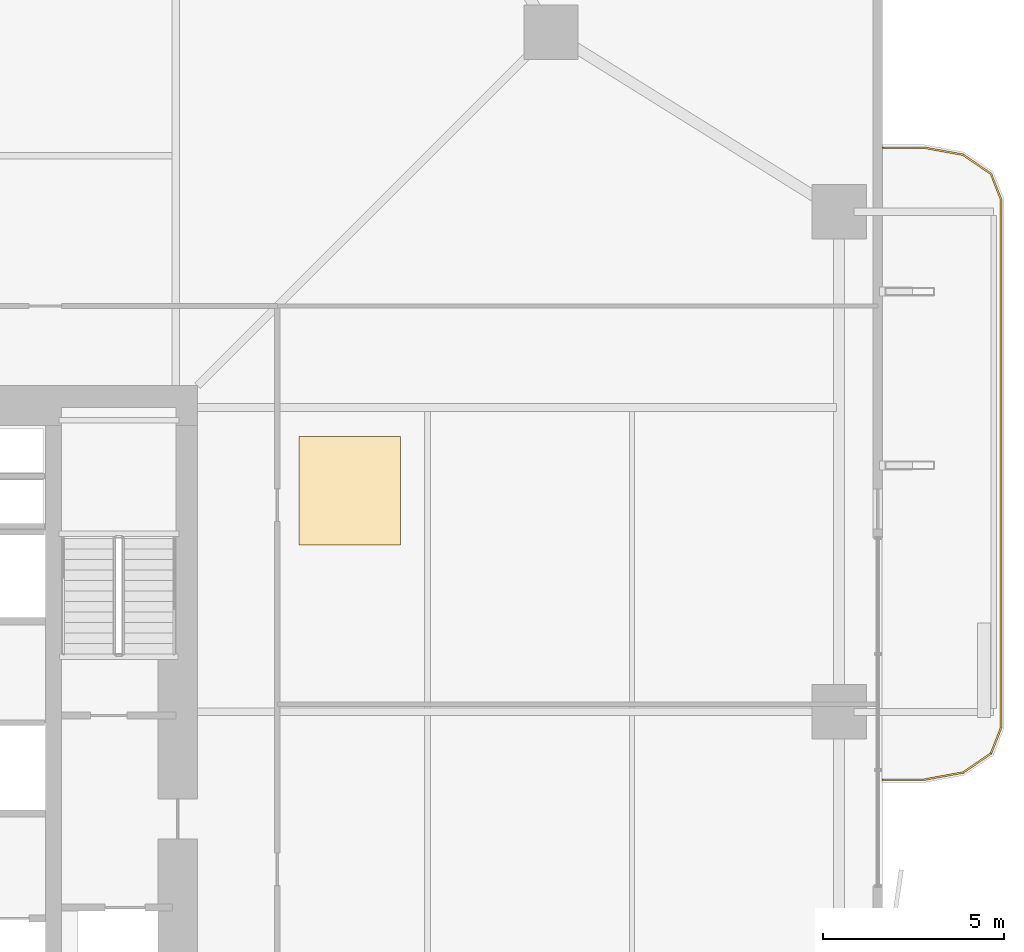
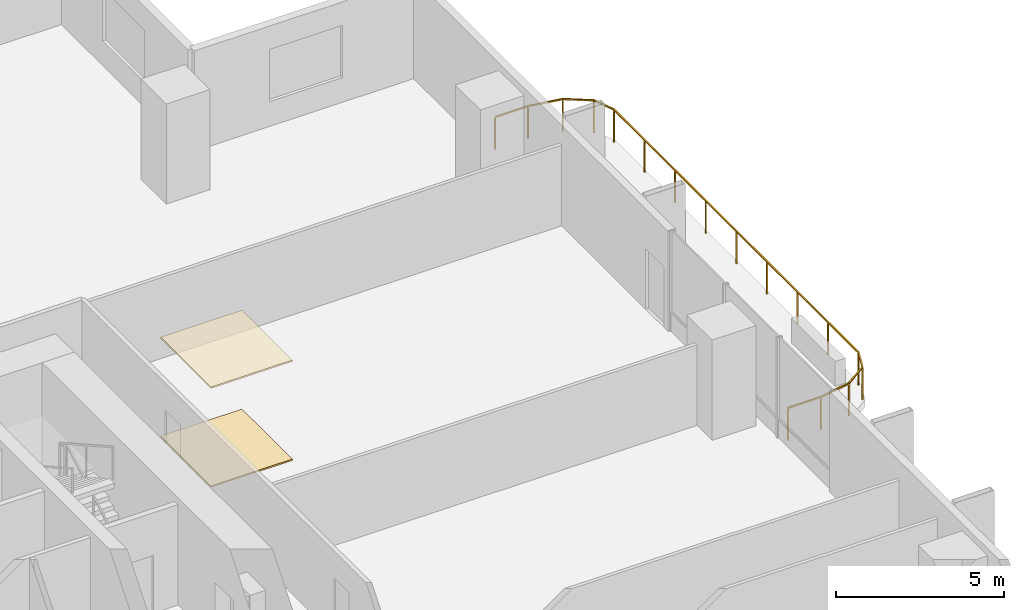
# One storey, part 23 of 23: 2 coverings, 1 railing.
"""IFC4 building model written with IfcOpenShell, lengths in metres."""

from ifc_helpers import new_model, si_unit, direction, frame, origin, origin_2d, place, context, subcontext, project, spatial, polyline, rectangle, outline, extrude, material, layer, layer_set, type_object, element, save


model = new_model("IFC4")

# Units and contexts
model_context = context("Model", 3, precision=1e-05, world=origin(), true_north=direction((0.0, 1.0)))
body_context = subcontext(model_context, "Body", "Model", "MODEL_VIEW")
ifc_project = project(units=[si_unit("LENGTHUNIT", "METRE"), si_unit("AREAUNIT", "SQUARE_METRE"), si_unit("VOLUMEUNIT", "CUBIC_METRE"), si_unit("PLANEANGLEUNIT", "RADIAN"), si_unit("MASSUNIT", "GRAM", prefix="KILO")], contexts=[model_context])

# Site, building, storey
site_placement = place(None, origin())
site = spatial("IfcSite", under=ifc_project, at=site_placement, CompositionType="ELEMENT")
building_placement = place(site_placement, origin())
building = spatial("IfcBuilding", under=site, at=building_placement, Name="Belovzor Exchange Tower", CompositionType="ELEMENT")
storey_placement = place(building_placement, frame((0.0, 0.0, 84.60009765625)))
storey = spatial("IfcBuildingStorey", under=building, at=storey_placement, Name="L20", CompositionType="ELEMENT", Elevation=84.60009765625)

# Railing
ifc_material_1 = material(Name="Stainless Steel and Laminated Safety Glass", Category="steel")
railing_type = type_object("IfcRailingType", Name="Laminated Glass & Stainless Steel Balcony Balustrade 1200", PredefinedType="BALUSTRADE", material=ifc_material_1)
railing_placement = place(storey_placement, frame((56.7099609375, 26.929931640625, 0.0)))
element("IfcRailing", 1, at=railing_placement, inside=storey, type_object=railing_type, Name="GR-1 Balcony Balustrade L20 East", PredefinedType="BALUSTRADE", context=body_context, shape_type="SweptSolid", body=[
    extrude(rectangle(XDim=0.048095703125, YDim=0.048095703125, at=origin_2d()), frame((0.0, 0.0, 1.17578125), z_axis=(1.0, 0.0, 0.0), x_axis=(0.0, 1.0, 0.0)), (0.0, 0.0, 1.0), 1.133056640625),
    extrude(rectangle(XDim=0.048095703125, YDim=0.048095703125, at=origin_2d()), frame((1.133056640625, 0.0, 1.17578125), z_axis=(0.983644145941, 0.180122719713, 0.0), x_axis=(-0.180122719713, 0.983644145941, 0.0)), (0.0, 0.0, 1.0), 1.09375),
    extrude(rectangle(XDim=0.048095703125, YDim=0.048095703125, at=origin_2d()), frame((2.208984375, 0.197021484375, 1.17578125), z_axis=(0.826493025367, 0.56294695933, 0.0), x_axis=(-0.56294695933, 0.826493025367, 0.0)), (0.0, 0.0, 1.0), 0.932861328125),
    extrude(rectangle(XDim=0.048095703125, YDim=0.048095703125, at=origin_2d()), frame((2.97998046875, 0.72216796875, 1.17578125), z_axis=(0.365612923861, 0.930766990125, 0.0), x_axis=(-0.930766990125, 0.365612923861, 0.0)), (0.0, 0.0, 1.0), 0.765869140625),
    extrude(rectangle(XDim=0.048095703125, YDim=0.048095703125, at=origin_2d()), frame((3.260009765625, 1.43505859375, 1.17578125), z_axis=(0.0, 1.0, 0.0), x_axis=(-1.0, 0.0, 0.0)), (0.0, 0.0, 1.0), 14.570068359375),
    extrude(rectangle(XDim=0.048095703125, YDim=0.048095703125, at=origin_2d()), frame((3.260009765625, 16.005126953125, 1.17578125), z_axis=(-0.365612923861, 0.930766990125, 0.0), x_axis=(-0.930766990125, -0.365612923861, 0.0)), (0.0, 0.0, 1.0), 0.765869140625),
    extrude(rectangle(XDim=0.048095703125, YDim=0.048095703125, at=origin_2d()), frame((2.97998046875, 16.718017578125, 1.17578125), z_axis=(-0.826493025367, 0.56294695933, 0.0), x_axis=(-0.56294695933, -0.826493025367, 0.0)), (0.0, 0.0, 1.0), 0.932861328125),
    extrude(rectangle(XDim=0.048095703125, YDim=0.048095703125, at=origin_2d()), frame((2.208984375, 17.2431640625, 1.17578125), z_axis=(-0.983644145941, 0.180122719713, 0.0), x_axis=(-0.180122719713, -0.983644145941, 0.0)), (0.0, 0.0, 1.0), 1.09375),
    extrude(rectangle(XDim=0.048095703125, YDim=0.048095703125, at=origin_2d()), frame((1.133056640625, 17.440185546875, 1.17578125), z_axis=(-1.0, 0.0, 0.0), x_axis=(0.0, -1.0, 0.0)), (0.0, 0.0, 1.0), 1.133056640625),
    extrude(rectangle(XDim=0.0419921875, YDim=0.0419921875, at=origin_2d()), origin(), (0.0, 0.0, 1.0), 1.15185546875),
    extrude(rectangle(XDim=0.0419921875, YDim=0.0419921875, at=origin_2d()), frame((1.133056640625, 0.0, 0.0)), (0.0, 0.0, 1.0), 1.15185546875),
    extrude(rectangle(XDim=0.0419921875, YDim=0.0419921875, at=origin_2d()), frame((2.208984375, 0.197021484375, 0.0)), (0.0, 0.0, 1.0), 1.15185546875),
    extrude(rectangle(XDim=0.0419921875, YDim=0.0419921875, at=origin_2d()), frame((2.97998046875, 0.72216796875, 0.0)), (0.0, 0.0, 1.0), 1.15185546875),
    extrude(rectangle(XDim=0.0419921875, YDim=0.0419921875, at=origin_2d()), frame((3.260009765625, 1.43505859375, 0.0)), (0.0, 0.0, 1.0), 1.15185546875),
    extrude(rectangle(XDim=0.0419921875, YDim=0.0419921875, at=origin_2d()), frame((3.260009765625, 3.25634765625, 0.0)), (0.0, 0.0, 1.0), 1.15185546875),
    extrude(rectangle(XDim=0.0419921875, YDim=0.0419921875, at=origin_2d()), frame((3.260009765625, 5.07763671875, 0.0)), (0.0, 0.0, 1.0), 1.15185546875),
    extrude(rectangle(XDim=0.0419921875, YDim=0.0419921875, at=origin_2d()), frame((3.260009765625, 6.89892578125, 0.0)), (0.0, 0.0, 1.0), 1.15185546875),
    extrude(rectangle(XDim=0.0419921875, YDim=0.0419921875, at=origin_2d()), frame((3.260009765625, 8.72021484375, 0.0)), (0.0, 0.0, 1.0), 1.15185546875),
    extrude(rectangle(XDim=0.0419921875, YDim=0.0419921875, at=origin_2d()), frame((3.260009765625, 10.541259765625, 0.0)), (0.0, 0.0, 1.0), 1.15185546875),
    extrude(rectangle(XDim=0.0419921875, YDim=0.0419921875, at=origin_2d()), frame((3.260009765625, 12.362548828125, 0.0)), (0.0, 0.0, 1.0), 1.15185546875),
    extrude(rectangle(XDim=0.0419921875, YDim=0.0419921875, at=origin_2d()), frame((3.260009765625, 14.183837890625, 0.0)), (0.0, 0.0, 1.0), 1.15185546875),
    extrude(rectangle(XDim=0.0419921875, YDim=0.0419921875, at=origin_2d()), frame((3.260009765625, 16.005126953125, 0.0)), (0.0, 0.0, 1.0), 1.15185546875),
    extrude(rectangle(XDim=0.0419921875, YDim=0.0419921875, at=origin_2d()), frame((2.97998046875, 16.718017578125, 0.0)), (0.0, 0.0, 1.0), 1.15185546875),
    extrude(rectangle(XDim=0.0419921875, YDim=0.0419921875, at=origin_2d()), frame((2.208984375, 17.2431640625, 0.0)), (0.0, 0.0, 1.0), 1.15185546875),
    extrude(rectangle(XDim=0.0419921875, YDim=0.0419921875, at=origin_2d()), frame((1.133056640625, 17.440185546875, 0.0)), (0.0, 0.0, 1.0), 1.15185546875),
    extrude(rectangle(XDim=0.0419921875, YDim=0.0419921875, at=origin_2d()), frame((0.0, 17.440185546875, 0.0)), (0.0, 0.0, 1.0), 1.15185546875),
])

# Coverings
ifc_material_2 = material(Name="Perforated Powder-Coated Aluminium", Category="aluminium")
ifc_layer_1 = layer(ifc_material_2, 0.06005859375)
ifc_layer_set_1 = layer_set([ifc_layer_1], Name="Perforated Powder-Coated Aluminium")
covering_type_1 = type_object("IfcCoveringType", Name="Perforated Acoustic Metal Tile Suspended Ceiling 60", PredefinedType="CEILING", material=ifc_layer_set_1)
covering_1_placement = place(storey_placement, frame((0.0, 0.0, 3.58984375)))
element("IfcCovering", 2, at=covering_1_placement, inside=storey, type_object=covering_type_1, Name="CLG-AC60 Suspended Ceiling CLG-L20-Z2", PredefinedType="CEILING", context=body_context, shape_type="SweptSolid", body=[
    extrude(outline(polyline([(40.60009765625, 33.39990234375), (43.39990234375, 33.39990234375), (43.39990234375, 36.39990234375), (40.60009765625, 36.39990234375), (40.60009765625, 33.39990234375)])), origin(), (0.0, 0.0, 1.0), 0.06005859375),
])
ifc_material_3 = material(Name="Polished Natural Granite Tile", Category="masonry")
ifc_layer_2 = layer(ifc_material_3, 0.050048828125)
ifc_layer_set_2 = layer_set([ifc_layer_2], Name="Polished Natural Granite Tile")
covering_type_2 = type_object("IfcCoveringType", Name="Polished Karelian Granite & Raised Access Floor Finish 50", PredefinedType="FLOORING", material=ifc_layer_set_2)
covering_2_placement = place(storey_placement, origin())
element("IfcCovering", 3, at=covering_2_placement, inside=storey, type_object=covering_type_2, Name="FLR-GR50 Floor Finish FLR-L20-Z2", PredefinedType="FLOORING", context=body_context, shape_type="SweptSolid", body=[
    extrude(outline(polyline([(40.60009765625, 33.39990234375), (43.39990234375, 33.39990234375), (43.39990234375, 36.39990234375), (40.60009765625, 36.39990234375), (40.60009765625, 33.39990234375)])), origin(), (0.0, 0.0, 1.0), 0.0498046875),
])

save(model, "model.ifc")
